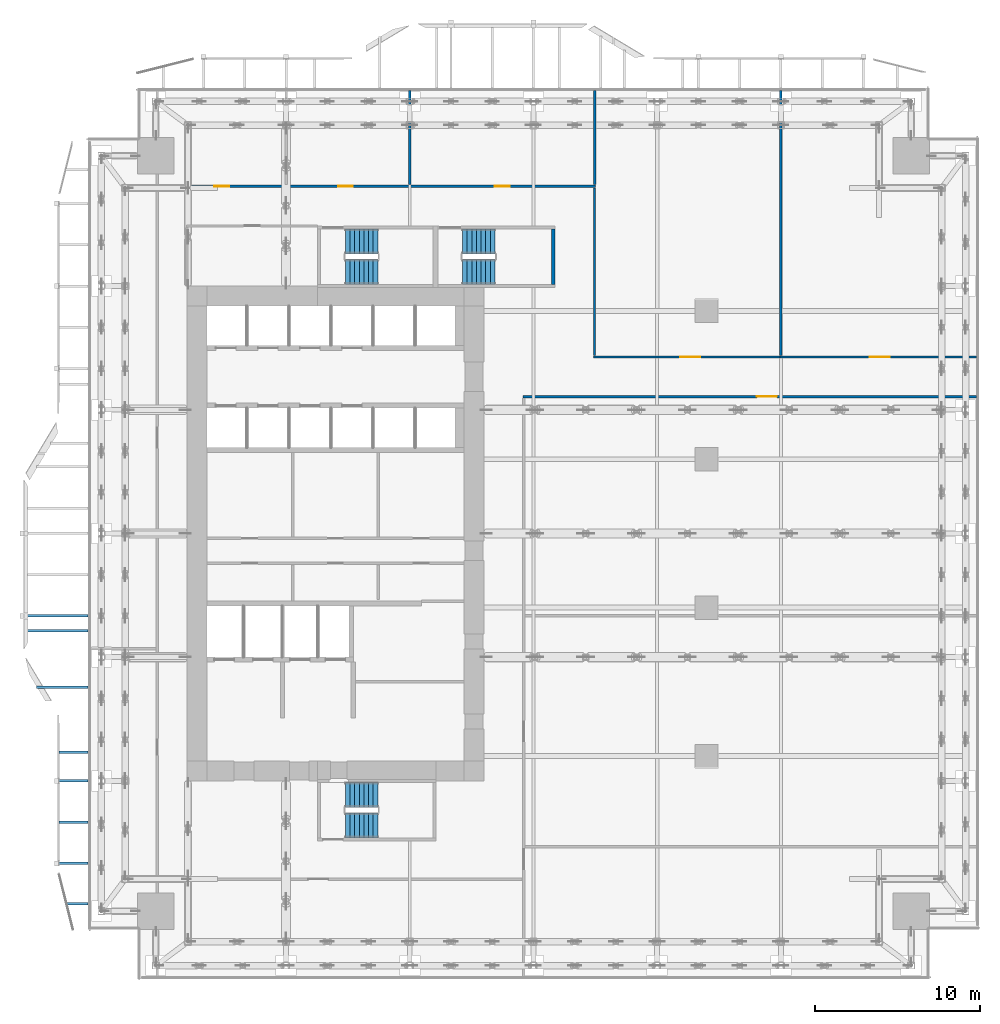
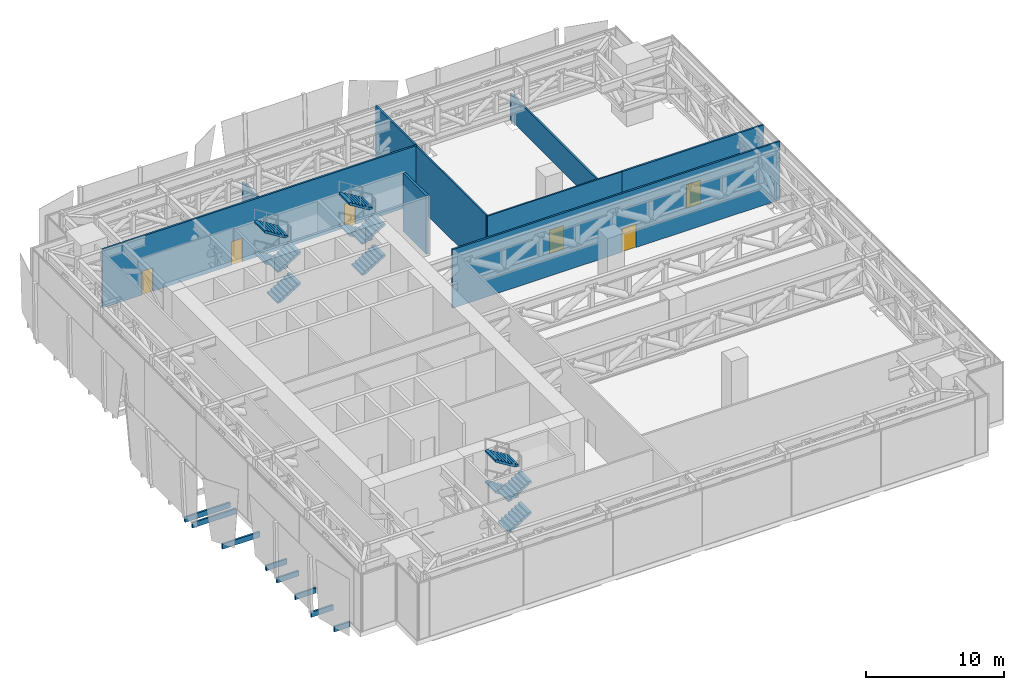
# One storey, part 32 of 39: 12 stair flights, 9 walls, 8 discrete accessories, 6 doors, 6 openings, 3 elements without a shape of their own.
"""IFC4 building model written with IfcOpenShell, lengths in metres."""

from ifc_helpers import new_model, si_unit, direction, frame, frame_2d, origin, origin_2d, place, context, subcontext, project, spatial, polyline, rectangle, outline, extrude, source, transform, mapped, material, layer, layer_set, type_object, element, fill, aggregate, save


model = new_model("IFC4")

# Units and contexts
model_context = context("Model", 3, precision=1e-05, world=origin(), true_north=direction((0.0, 1.0)))
body_context = subcontext(model_context, "Body", "Model", "MODEL_VIEW")
ifc_project = project(units=[si_unit("LENGTHUNIT", "METRE"), si_unit("AREAUNIT", "SQUARE_METRE"), si_unit("VOLUMEUNIT", "CUBIC_METRE"), si_unit("PLANEANGLEUNIT", "RADIAN"), si_unit("MASSUNIT", "GRAM", prefix="KILO")], contexts=[model_context])

# Site, building, storey
site_placement = place(None, origin())
site = spatial("IfcSite", under=ifc_project, at=site_placement, CompositionType="ELEMENT")
building_placement = place(site_placement, origin())
building = spatial("IfcBuilding", under=site, at=building_placement, Name="Khomas Fold Tower", CompositionType="ELEMENT")
storey_placement = place(building_placement, frame((0.0, 0.0, 96.0)))
storey = spatial("IfcBuildingStorey", under=building, at=storey_placement, Name="L20", CompositionType="ELEMENT", Elevation=96.0)

# Wall
ifc_material_1 = material(Name="Concrete C50/60", Category="concrete")
ifc_layer_1 = layer(ifc_material_1, 0.199951171875)
ifc_layer_set_1 = layer_set([ifc_layer_1], Name="Concrete C50/60")
wall_type_1 = type_object("IfcWallType", Name="Stair wall 200", PredefinedType="SHEAR", material=ifc_layer_set_1)
shared_shape_1 = source(origin(), body_context, "Body", "SweptSolid", [
    extrude(rectangle(XDim=3.349853515625, YDim=0.199951171875, at=frame_2d((1.6748046875, 0.0))), origin(), (0.0, 0.0, 1.0), 5.199951171875),
])
wall_1_placement = place(storey_placement, frame((28.199951171875, 42.10009765625, 0.0), z_axis=(0.0, 0.0, 1.0), x_axis=(0.0, 1.0, 0.0)))
element("IfcWall", 1, at=wall_1_placement, inside=storey, type_object=wall_type_1, Name="Stair wall SW-ST3-E", PredefinedType="SHEAR", context=body_context, shape_type="MappedRepresentation", body=[
    mapped(shared_shape_1, transform((0.0, 0.0, 0.0))),
])

# Wall, opening, door
ifc_material_2 = material(Name="Plasterboard fire partition")
ifc_layer_2 = layer(ifc_material_2, 0.14990234375)
ifc_layer_set_2 = layer_set([ifc_layer_2], Name="Plasterboard fire partition")
wall_type_2 = type_object("IfcWallType", Name="Plant room wall PW3 150", PredefinedType="PARTITIONING", material=ifc_layer_set_2)
shared_shape_2 = source(origin(), body_context, "Body", "SweptSolid", [
    extrude(rectangle(XDim=27.5, YDim=0.14990234375, at=frame_2d((13.75, 0.0))), origin(), (0.0, 0.0, 1.0), 5.199951171875),
])
wall_2_placement = place(storey_placement, frame((26.35009765625, 35.300048828125, 0.0), z_axis=(0.0, 0.0, 1.0), x_axis=(1.0, 0.0, 0.0)))
wall_2 = element("IfcWall", 2, at=wall_2_placement, inside=storey, type_object=wall_type_2, Name="Plant room wall", PredefinedType="PARTITIONING", context=body_context, shape_type="MappedRepresentation", body=[
    mapped(shared_shape_2, transform((0.0, 0.0, 0.0))),
])
shared_shape_3 = source(origin(), body_context, "Body", "SweptSolid", [
    extrude(rectangle(XDim=1.199951171875, YDim=2.10009765625, at=frame_2d((0.60009765625, 1.050048828125))), frame((0.0, 0.0849609375, 0.0), z_axis=(0.0, -1.0, 0.0), x_axis=(1.0, 0.0, 0.0)), (0.0, 0.0, 1.0), 0.169921875),
])
opening_1_placement = place(wall_2_placement, frame((14.199951171875, 0.0, 0.0)))
opening_1 = element("IfcOpeningElement", 3, at=opening_1_placement, cuts=wall_2, Name="Opening 0012", PredefinedType="OPENING", context=body_context, shape_type="MappedRepresentation", body=[
    mapped(shared_shape_3, transform((0.0, 0.0, 0.0))),
])
ifc_material_3 = material(Name="Steel door leaf", Category="steel")
door_type_1 = type_object("IfcDoorType", Name="Plant room door 1200x2100 left-hand", OperationType="SINGLE_SWING_LEFT", PredefinedType="DOOR", material=ifc_material_3)
shared_shape_4 = source(origin(), body_context, "Body", "SweptSolid", [
    extrude(rectangle(XDim=1.199951171875, YDim=2.10009765625, at=frame_2d((0.60009765625, 1.050048828125))), frame((0.0, 0.02490234375, 0.0), z_axis=(0.0, -1.0, 0.0), x_axis=(1.0, 0.0, 0.0)), (0.0, 0.0, 1.0), 0.050048828125),
])
door_1_placement = place(opening_1_placement, origin())
door_1 = element("IfcDoor", 4, at=door_1_placement, inside=storey, type_object=door_type_1, Name="Plant room door", OperationType="SINGLE_SWING_LEFT", OverallHeight=2.10009765625, OverallWidth=1.199951171875, PredefinedType="DOOR", context=body_context, shape_type="MappedRepresentation", body=[
    mapped(shared_shape_4, transform((0.0, 0.0, 0.0))),
])
fill(opening_1, door_1)

ifc_material_4 = material(Name="Plasterboard partition")
ifc_layer_3 = layer(ifc_material_4, 0.125)
ifc_layer_set_3 = layer_set([ifc_layer_3], Name="Plasterboard partition")
wall_type_3 = type_object("IfcWallType", Name="Partition PW2 125", PredefinedType="PARTITIONING", material=ifc_layer_set_3)
shared_shape_5 = source(origin(), body_context, "Body", "SweptSolid", [
    extrude(rectangle(XDim=11.300048828125, YDim=0.125, at=frame_2d((5.64990234375, 0.0))), origin(), (0.0, 0.0, 1.0), 5.199951171875),
])
wall_3_placement = place(storey_placement, frame((30.64990234375, 37.699951171875, 0.0), z_axis=(0.0, 0.0, 1.0), x_axis=(1.0, 0.0, 0.0)))
wall_3 = element("IfcWall", 5, at=wall_3_placement, inside=storey, type_object=wall_type_3, Name="Partition", PredefinedType="PARTITIONING", context=body_context, shape_type="MappedRepresentation", body=[
    mapped(shared_shape_5, transform((0.0, 0.0, 0.0))),
])
shared_shape_6 = source(origin(), body_context, "Body", "SweptSolid", [
    extrude(rectangle(XDim=1.199951171875, YDim=2.10009765625, at=frame_2d((0.60009765625, 1.050048828125))), frame((0.0, 0.072509765625, 0.0), z_axis=(0.0, -1.0, 0.0), x_axis=(1.0, 0.0, 0.0)), (0.0, 0.0, 1.0), 0.14501953125),
])
opening_2_placement = place(wall_3_placement, frame((5.25, 0.0, 0.0)))
opening_2 = element("IfcOpeningElement", 6, at=opening_2_placement, cuts=wall_3, Name="Opening 0013", PredefinedType="OPENING", context=body_context, shape_type="MappedRepresentation", body=[
    mapped(shared_shape_6, transform((0.0, 0.0, 0.0))),
])
ifc_material_5 = material(Name="Timber door leaf", Category="wood")
door_type_2 = type_object("IfcDoorType", Name="Door 1200x2100 left-hand", OperationType="SINGLE_SWING_LEFT", PredefinedType="DOOR", material=ifc_material_5)
door_2_placement = place(opening_2_placement, origin())
door_2 = element("IfcDoor", 7, at=door_2_placement, inside=storey, type_object=door_type_2, Name="Door", OperationType="SINGLE_SWING_LEFT", OverallHeight=2.10009765625, OverallWidth=1.199951171875, PredefinedType="DOOR", context=body_context, shape_type="MappedRepresentation", body=[
    mapped(shared_shape_4, transform((0.0, 0.0, 0.0))),
])
fill(opening_2, door_2)

shared_shape_7 = source(origin(), body_context, "Body", "SweptSolid", [
    extrude(rectangle(XDim=11.900146484375, YDim=0.14990234375, at=frame_2d((5.9501953125, 0.0))), origin(), (0.0, 0.0, 1.0), 5.199951171875),
])
wall_4_placement = place(storey_placement, frame((41.949951171875, 37.699951171875, 0.0), z_axis=(0.0, 0.0, 1.0), x_axis=(1.0, 0.0, 0.0)))
wall_4 = element("IfcWall", 8, at=wall_4_placement, inside=storey, type_object=wall_type_2, Name="Plant room wall", PredefinedType="PARTITIONING", context=body_context, shape_type="MappedRepresentation", body=[
    mapped(shared_shape_7, transform((0.0, 0.0, 0.0))),
])
opening_3_placement = place(wall_4_placement, frame((5.449951171875, 0.0, 0.0)))
opening_3 = element("IfcOpeningElement", 9, at=opening_3_placement, cuts=wall_4, Name="Opening 0011", PredefinedType="OPENING", context=body_context, shape_type="MappedRepresentation", body=[
    mapped(shared_shape_3, transform((0.0, 0.0, 0.0))),
])
ifc_material_6 = material(Name="Steel door leaf", Category="steel")
door_type_3 = type_object("IfcDoorType", Name="Plant room door 1200x2100 right-hand", OperationType="SINGLE_SWING_RIGHT", PredefinedType="DOOR", material=ifc_material_6)
door_3_placement = place(opening_3_placement, origin())
door_3 = element("IfcDoor", 10, at=door_3_placement, inside=storey, type_object=door_type_3, Name="Plant room door", OperationType="SINGLE_SWING_RIGHT", OverallHeight=2.10009765625, OverallWidth=1.199951171875, PredefinedType="DOOR", context=body_context, shape_type="MappedRepresentation", body=[
    mapped(shared_shape_4, transform((0.0, 0.0, 0.0))),
])
fill(opening_3, door_3)

# Walls
shared_shape_8 = source(origin(), body_context, "Body", "SweptSolid", [
    extrude(rectangle(XDim=10.14990234375, YDim=0.125, at=frame_2d((5.074951171875, 0.0))), origin(), (0.0, 0.0, 1.0), 5.199951171875),
])
wall_5_placement = place(storey_placement, frame((30.699951171875, 37.800048828125, 0.0), z_axis=(0.0, 0.0, 1.0), x_axis=(0.0, 1.0, 0.0)))
element("IfcWall", 11, at=wall_5_placement, inside=storey, type_object=wall_type_3, Name="Partition", PredefinedType="PARTITIONING", context=body_context, shape_type="MappedRepresentation", body=[
    mapped(shared_shape_8, transform((0.0, 0.0, 0.0))),
])
shared_shape_9 = source(origin(), body_context, "Body", "SweptSolid", [
    extrude(rectangle(XDim=16.050048828125, YDim=0.14990234375, at=frame_2d((8.02490234375, 0.0))), origin(), (0.0, 0.0, 1.0), 2.35009765625),
])
wall_6_placement = place(storey_placement, frame((42.0, 37.800048828125, 0.0), z_axis=(0.0, 0.0, 1.0), x_axis=(0.0, 1.0, 0.0)))
element("IfcWall", 12, at=wall_6_placement, inside=storey, type_object=wall_type_2, Name="Plant room wall", PredefinedType="PARTITIONING", context=body_context, shape_type="MappedRepresentation", body=[
    mapped(shared_shape_9, transform((0.0, 0.0, 0.0))),
])

# Wall, openings, doors
shared_shape_10 = source(origin(), body_context, "Body", "SweptSolid", [
    extrude(rectangle(XDim=26.449951171875, YDim=0.14990234375, at=frame_2d((13.22509765625, 0.0))), origin(), (0.0, 0.0, 1.0), 5.199951171875),
])
wall_7_placement = place(storey_placement, frame((4.300048828125, 48.050048828125, 0.0), z_axis=(0.0, 0.0, 1.0), x_axis=(1.0, 0.0, 0.0)))
wall_7 = element("IfcWall", 13, at=wall_7_placement, inside=storey, type_object=wall_type_2, Name="Plant room wall", PredefinedType="PARTITIONING", context=body_context, shape_type="MappedRepresentation", body=[
    mapped(shared_shape_10, transform((0.0, 0.0, 0.0))),
])
shared_shape_11 = source(origin(), body_context, "Body", "SweptSolid", [
    extrude(rectangle(XDim=0.89990234375, YDim=2.10009765625, at=frame_2d((0.449951171875, 1.050048828125))), frame((0.0, 0.0849609375, 0.0), z_axis=(0.0, -1.0, 0.0), x_axis=(1.0, 0.0, 0.0)), (0.0, 0.0, 1.0), 0.169921875),
])
opening_4_placement = place(wall_7_placement, frame((3.35009765625, 0.0, 0.0)))
opening_4 = element("IfcOpeningElement", 14, at=opening_4_placement, cuts=wall_7, Name="Opening 0003", PredefinedType="OPENING", context=body_context, shape_type="MappedRepresentation", body=[
    mapped(shared_shape_11, transform((0.0, 0.0, 0.0))),
])
opening_5_placement = place(wall_7_placement, frame((10.85009765625, 0.0, 0.0)))
opening_5 = element("IfcOpeningElement", 15, at=opening_5_placement, cuts=wall_7, Name="Opening 0003", PredefinedType="OPENING", context=body_context, shape_type="MappedRepresentation", body=[
    mapped(shared_shape_11, transform((0.0, 0.0, 0.0))),
])
opening_6_placement = place(wall_7_placement, frame((20.35009765625, 0.0, 0.0)))
opening_6 = element("IfcOpeningElement", 16, at=opening_6_placement, cuts=wall_7, Name="Opening 0002", PredefinedType="OPENING", context=body_context, shape_type="MappedRepresentation", body=[
    mapped(shared_shape_11, transform((0.0, 0.0, 0.0))),
])
ifc_material_7 = material(Name="Steel door leaf", Category="steel")
door_type_4 = type_object("IfcDoorType", Name="Plant room door 900x2100 right-hand", OperationType="SINGLE_SWING_RIGHT", PredefinedType="DOOR", material=ifc_material_7)
shared_shape_12 = source(origin(), body_context, "Body", "SweptSolid", [
    extrude(rectangle(XDim=0.89990234375, YDim=2.10009765625, at=frame_2d((0.449951171875, 1.050048828125))), frame((0.0, 0.02490234375, 0.0), z_axis=(0.0, -1.0, 0.0), x_axis=(1.0, 0.0, 0.0)), (0.0, 0.0, 1.0), 0.050048828125),
])
door_4_placement = place(opening_4_placement, origin())
door_4 = element("IfcDoor", 17, at=door_4_placement, inside=storey, type_object=door_type_4, Name="Plant room door", OperationType="SINGLE_SWING_RIGHT", OverallHeight=2.10009765625, OverallWidth=0.89990234375, PredefinedType="DOOR", context=body_context, shape_type="MappedRepresentation", body=[
    mapped(shared_shape_12, transform((0.0, 0.0, 0.0))),
])
fill(opening_4, door_4)
door_5_placement = place(opening_5_placement, origin())
door_5 = element("IfcDoor", 18, at=door_5_placement, inside=storey, type_object=door_type_4, Name="Plant room door", OperationType="SINGLE_SWING_RIGHT", OverallHeight=2.10009765625, OverallWidth=0.89990234375, PredefinedType="DOOR", context=body_context, shape_type="MappedRepresentation", body=[
    mapped(shared_shape_12, transform((0.0, 0.0, 0.0))),
])
fill(opening_5, door_5)
ifc_material_8 = material(Name="Steel door leaf", Category="steel")
door_type_5 = type_object("IfcDoorType", Name="Plant room door 900x2100 left-hand", OperationType="SINGLE_SWING_LEFT", PredefinedType="DOOR", material=ifc_material_8)
door_6_placement = place(opening_6_placement, origin())
door_6 = element("IfcDoor", 19, at=door_6_placement, inside=storey, type_object=door_type_5, Name="Plant room door", OperationType="SINGLE_SWING_LEFT", OverallHeight=2.10009765625, OverallWidth=0.89990234375, PredefinedType="DOOR", context=body_context, shape_type="MappedRepresentation", body=[
    mapped(shared_shape_12, transform((0.0, 0.0, 0.0))),
])
fill(opening_6, door_6)

# Walls
shared_shape_13 = source(origin(), body_context, "Body", "SweptSolid", [
    extrude(rectangle(XDim=5.7001953125, YDim=0.14990234375, at=frame_2d((2.85009765625, 0.0))), origin(), (0.0, 0.0, 1.0), 2.35009765625),
])
wall_8_placement = place(storey_placement, frame((19.5, 48.14990234375, 0.0), z_axis=(0.0, 0.0, 1.0), x_axis=(0.0, 1.0, 0.0)))
element("IfcWall", 20, at=wall_8_placement, inside=storey, type_object=wall_type_2, Name="Plant room wall", PredefinedType="PARTITIONING", context=body_context, shape_type="MappedRepresentation", body=[
    mapped(shared_shape_13, transform((0.0, 0.0, 0.0))),
])
shared_shape_14 = source(origin(), body_context, "Body", "SweptSolid", [
    extrude(rectangle(XDim=5.7001953125, YDim=0.14990234375, at=frame_2d((2.85009765625, 0.0))), origin(), (0.0, 0.0, 1.0), 5.199951171875),
])
wall_9_placement = place(storey_placement, frame((30.699951171875, 48.14990234375, 0.0), z_axis=(0.0, 0.0, 1.0), x_axis=(0.0, 1.0, 0.0)))
element("IfcWall", 21, at=wall_9_placement, inside=storey, type_object=wall_type_2, Name="Plant room wall", PredefinedType="PARTITIONING", context=body_context, shape_type="MappedRepresentation", body=[
    mapped(shared_shape_14, transform((0.0, 0.0, 0.0))),
])

# Stair, stair flights
ifc_material_9 = material(Name="Concrete C40/50", Category="concrete")
stair_type_1 = type_object("IfcStairType", Name="Stair ST1", PredefinedType="HALF_TURN_STAIR", material=ifc_material_9)
stair_1_placement = place(storey_placement, origin())
stair_1 = element("IfcStair", 22, at=stair_1_placement, inside=storey, type_object=stair_type_1, Name="L20 ST1", PredefinedType="HALF_TURN_STAIR")
ifc_material_10 = material(Name="Concrete C40/50", Category="concrete")
stair_flight_type_1 = type_object("IfcStairFlightType", Name="Stair flight 1500 ST1", PredefinedType="STRAIGHT", material=ifc_material_10)
shared_shape_15 = source(origin(), body_context, "Body", "SweptSolid", [
    extrude(outline(polyline([(0.0, 0.0), (0.0, 0.00146484375), (0.0, 0.0029296875), (0.0, 0.004150390625), (0.0, 0.005615234375), (0.0, 0.007080078125), (0.0, 0.008544921875), (0.0, 0.010009765625), (0.0, 0.011474609375), (0.0, 0.0126953125), (0.0, 0.01416015625), (0.0, 0.015625), (0.0, 0.01708984375), (0.0, 0.0185546875), (0.0, 0.019775390625), (0.0, 0.021240234375), (0.0, 0.022705078125), (0.0, 0.024169921875), (0.0, 0.025634765625), (0.0, 0.027099609375), (0.0, 0.0283203125), (0.0, 0.02978515625), (0.0, 0.03125), (0.0, 0.03271484375), (0.0, 0.0341796875), (0.0, 0.035400390625), (0.0, 0.036865234375), (0.0, 0.038330078125), (0.0, 0.039794921875), (0.0, 0.041259765625), (0.0, 0.042724609375), (0.0, 0.0439453125), (0.0, 0.04541015625), (0.0, 0.046875), (0.0, 0.04833984375), (0.0, 0.0498046875), (0.0, 0.051025390625), (0.0, 0.052490234375), (0.0, 0.053955078125), (0.0, 0.055419921875), (0.0, 0.056884765625), (0.0, 0.058349609375), (0.0, 0.0595703125), (0.0, 0.06103515625), (0.0, 0.0625), (0.0, 0.06396484375), (0.0, 0.0654296875), (0.0, 0.066650390625), (0.0, 0.068115234375), (0.0, 0.069580078125), (0.0, 0.071044921875), (0.0, 0.072509765625), (0.0, 0.073974609375), (0.0, 0.0751953125), (0.0, 0.07666015625), (0.0, 0.078125), (0.0, 0.07958984375), (0.0, 0.0810546875), (0.0, 0.082275390625), (0.0, 0.083740234375), (0.0, 0.085205078125), (0.0, 0.086669921875), (0.0, 0.088134765625), (0.0, 0.089599609375), (0.0, 0.0908203125), (0.0, 0.09228515625), (0.0, 0.09375), (0.0, 0.09521484375), (0.0, 0.0966796875), (0.0, 0.097900390625), (0.0, 0.099365234375), (0.0, 0.100830078125), (0.0, 0.102294921875), (0.0, 0.103759765625), (0.0, 0.105224609375), (0.0, 0.1064453125), (0.0, 0.10791015625), (0.0, 0.109375), (0.0, 0.11083984375), (0.0, 0.1123046875), (0.0, 0.113525390625), (0.0, 0.114990234375), (0.0, 0.116455078125), (0.0, 0.117919921875), (0.0, 0.119384765625), (0.0, 0.120849609375), (0.0, 0.1220703125), (0.0, 0.12353515625), (0.0, 0.125), (0.0, 0.12646484375), (0.0, 0.1279296875), (0.0, 0.129150390625), (0.0, 0.130615234375), (0.0, 0.132080078125), (0.0, 0.133544921875), (0.0, 0.135009765625), (0.0, 0.136474609375), (0.0, 0.1376953125), (0.0, 0.13916015625), (0.0, 0.140625), (0.0, 0.14208984375), (0.0, 0.1435546875), (0.0, 0.144775390625), (0.0, 0.146240234375), (0.0, 0.147705078125), (0.0, 0.149169921875), (0.0, 0.150634765625), (0.0, 0.152099609375), (0.0, 0.1533203125), (0.0, 0.15478515625), (0.0, 0.15625), (0.0, 0.15771484375), (0.0, 0.1591796875), (0.0, 0.160400390625), (0.0, 0.161865234375), (0.0, 0.163330078125), (0.0, 0.164794921875), (0.0, 0.166259765625), (0.0, 0.167724609375), (0.0, 0.1689453125), (0.0, 0.17041015625), (0.0, 0.171875), (0.280029296875, 0.171875), (0.280029296875, 0.34375), (0.56005859375, 0.34375), (0.56005859375, 0.515625), (0.840087890625, 0.515625), (0.840087890625, 0.6875), (1.1201171875, 0.6875), (1.1201171875, 0.859375), (1.39990234375, 0.859375), (1.39990234375, 1.03125), (1.679931640625, 1.03125), (1.679931640625, 1.203125), (1.9599609375, 1.203125), (1.9599609375, 1.375), (1.9599609375, 1.3720703125), (1.9599609375, 1.369140625), (1.9599609375, 1.366455078125), (1.9599609375, 1.363525390625), (1.9599609375, 1.360595703125), (1.9599609375, 1.357666015625), (1.9599609375, 1.35498046875), (1.9599609375, 1.35205078125), (1.9599609375, 1.34912109375), (1.9599609375, 1.34619140625), (1.9599609375, 1.343505859375), (1.9599609375, 1.340576171875), (1.9599609375, 1.337646484375), (1.9599609375, 1.334716796875), (1.9599609375, 1.331787109375), (1.9599609375, 1.3291015625), (1.9599609375, 1.326171875), (1.9599609375, 1.3232421875), (1.9599609375, 1.3203125), (1.9599609375, 1.317626953125), (1.9599609375, 1.314697265625), (1.9599609375, 1.311767578125), (1.9599609375, 1.308837890625), (1.9599609375, 1.305908203125), (1.9599609375, 1.30322265625), (1.9599609375, 1.30029296875), (1.9599609375, 1.29736328125), (1.9599609375, 1.29443359375), (1.9599609375, 1.291748046875), (1.9599609375, 1.288818359375), (1.9599609375, 1.285888671875), (1.9599609375, 1.282958984375), (1.9599609375, 1.2802734375), (1.9599609375, 1.27734375), (1.9599609375, 1.2744140625), (1.9599609375, 1.271484375), (1.9599609375, 1.2685546875), (1.9599609375, 1.265869140625), (1.9599609375, 1.262939453125), (1.9599609375, 1.260009765625), (1.9599609375, 1.257080078125), (1.9599609375, 1.25439453125), (1.9599609375, 1.25146484375), (1.9599609375, 1.24853515625), (1.9599609375, 1.24560546875), (1.9599609375, 1.24267578125), (1.9599609375, 1.239990234375), (1.9599609375, 1.237060546875), (1.9599609375, 1.234130859375), (1.9599609375, 1.231201171875), (1.9599609375, 1.228515625), (1.9599609375, 1.2255859375), (1.9599609375, 1.22265625), (1.9599609375, 1.2197265625), (1.9599609375, 1.217041015625), (1.9599609375, 1.214111328125), (1.9599609375, 1.211181640625), (1.9599609375, 1.208251953125), (1.9599609375, 1.205322265625), (1.9599609375, 1.20263671875), (1.9599609375, 1.19970703125), (1.9599609375, 1.19677734375), (1.9599609375, 1.19384765625), (1.9599609375, 1.191162109375), (1.9599609375, 1.188232421875), (1.9599609375, 1.185302734375), (1.9599609375, 1.182373046875), (1.9599609375, 1.179443359375), (1.9599609375, 1.1767578125), (1.9599609375, 1.173828125), (1.9599609375, 1.1708984375), (1.9599609375, 1.16796875), (1.9599609375, 1.165283203125), (1.9599609375, 1.162353515625), (1.9599609375, 1.159423828125), (1.9599609375, 1.156494140625), (1.9599609375, 1.15380859375), (1.9599609375, 1.15087890625), (1.9599609375, 1.14794921875), (1.9599609375, 1.14501953125), (1.9599609375, 1.14208984375), (1.9599609375, 1.139404296875), (1.9599609375, 1.136474609375), (1.9599609375, 1.133544921875), (1.9599609375, 1.130615234375), (1.9599609375, 1.1279296875), (1.9599609375, 1.125), (1.9599609375, 1.1220703125), (1.9599609375, 1.119140625), (1.9599609375, 1.1162109375), (1.9599609375, 1.113525390625), (1.9599609375, 1.110595703125), (1.9599609375, 1.107666015625), (1.9599609375, 1.104736328125), (1.9599609375, 1.10205078125), (1.9599609375, 1.09912109375), (1.9599609375, 1.09619140625), (1.9599609375, 1.09326171875), (1.9599609375, 1.090576171875), (1.9599609375, 1.087646484375), (1.9599609375, 1.084716796875), (1.9599609375, 1.081787109375), (1.9599609375, 1.078857421875), (1.9599609375, 1.076171875), (1.9599609375, 1.0732421875), (1.9599609375, 1.0703125), (1.9599609375, 1.0673828125), (1.9599609375, 1.064697265625), (1.9599609375, 1.061767578125), (1.9599609375, 1.058837890625), (1.9599609375, 1.055908203125), (1.9599609375, 1.05322265625), (1.9599609375, 1.05029296875), (1.9599609375, 1.04736328125), (1.9599609375, 1.04443359375), (1.9599609375, 1.04150390625), (1.9599609375, 1.038818359375), (1.9599609375, 1.035888671875), (1.9599609375, 1.032958984375), (1.9599609375, 1.030029296875), (1.9599609375, 1.02734375), (0.28662109375, 0.0), (0.0, 0.0)])), frame((0.0, 0.75, 0.0), z_axis=(0.0, -1.0, 0.0), x_axis=(1.0, 0.0, 0.0)), (0.0, 0.0, 1.0), 1.5),
])
stair_flight_1_placement = place(storey_placement, frame((15.60009765625, 42.85009765625, 0.0), z_axis=(0.0, 0.0, 1.0), x_axis=(1.0, 0.0, 0.0)))
stair_flight_1 = element("IfcStairFlight", 23, at=stair_flight_1_placement, type_object=stair_flight_type_1, Name="ST1 flight 1", NumberOfRisers=8, NumberOfTreads=7, PredefinedType="STRAIGHT", RiserHeight=0.171875, TreadLength=0.28, context=body_context, shape_type="MappedRepresentation", body=[
    mapped(shared_shape_15, transform((0.0, 0.0, 0.0))),
])
stair_flight_2_placement = place(storey_placement, frame((17.56005859375, 44.699951171875, 1.375), z_axis=(0.0, 0.0, 1.0), x_axis=(-1.0, 0.0, 0.0)))
stair_flight_2 = element("IfcStairFlight", 24, at=stair_flight_2_placement, type_object=stair_flight_type_1, Name="ST1 flight 2", NumberOfRisers=8, NumberOfTreads=7, PredefinedType="STRAIGHT", RiserHeight=0.171875, TreadLength=0.28, context=body_context, shape_type="MappedRepresentation", body=[
    mapped(shared_shape_15, transform((0.0, 0.0, 0.0))),
])
stair_flight_3_placement = place(storey_placement, frame((15.60009765625, 42.85009765625, 2.75), z_axis=(0.0, 0.0, 1.0), x_axis=(1.0, 0.0, 0.0)))
stair_flight_3 = element("IfcStairFlight", 25, at=stair_flight_3_placement, type_object=stair_flight_type_1, Name="ST1 flight 3", NumberOfRisers=8, NumberOfTreads=7, PredefinedType="STRAIGHT", RiserHeight=0.171875, TreadLength=0.28, context=body_context, shape_type="MappedRepresentation", body=[
    mapped(shared_shape_15, transform((0.0, 0.0, 0.0))),
])
stair_flight_4_placement = place(storey_placement, frame((17.56005859375, 44.699951171875, 4.125), z_axis=(0.0, 0.0, 1.0), x_axis=(-1.0, 0.0, 0.0)))
stair_flight_4 = element("IfcStairFlight", 26, at=stair_flight_4_placement, type_object=stair_flight_type_1, Name="ST1 flight 4", NumberOfRisers=8, NumberOfTreads=7, PredefinedType="STRAIGHT", RiserHeight=0.171875, TreadLength=0.28, context=body_context, shape_type="MappedRepresentation", body=[
    mapped(shared_shape_15, transform((0.0, 0.0, 0.0))),
])
aggregate(stair_1, [stair_flight_1, stair_flight_2, stair_flight_3, stair_flight_4])

ifc_material_11 = material(Name="Concrete C40/50", Category="concrete")
stair_type_2 = type_object("IfcStairType", Name="Stair ST2", PredefinedType="HALF_TURN_STAIR", material=ifc_material_11)
stair_2_placement = place(storey_placement, origin())
stair_2 = element("IfcStair", 27, at=stair_2_placement, inside=storey, type_object=stair_type_2, Name="L20 ST2", PredefinedType="HALF_TURN_STAIR")
ifc_material_12 = material(Name="Concrete C40/50", Category="concrete")
stair_flight_type_2 = type_object("IfcStairFlightType", Name="Stair flight 1500 ST2", PredefinedType="STRAIGHT", material=ifc_material_12)
stair_flight_5_placement = place(storey_placement, frame((15.60009765625, 9.300048828125, 0.0), z_axis=(0.0, 0.0, 1.0), x_axis=(1.0, 0.0, 0.0)))
stair_flight_5 = element("IfcStairFlight", 28, at=stair_flight_5_placement, type_object=stair_flight_type_2, Name="ST2 flight 1", NumberOfRisers=8, NumberOfTreads=7, PredefinedType="STRAIGHT", RiserHeight=0.171875, TreadLength=0.28, context=body_context, shape_type="MappedRepresentation", body=[
    mapped(shared_shape_15, transform((0.0, 0.0, 0.0))),
])
stair_flight_6_placement = place(storey_placement, frame((17.56005859375, 11.14990234375, 1.375), z_axis=(0.0, 0.0, 1.0), x_axis=(-1.0, 0.0, 0.0)))
stair_flight_6 = element("IfcStairFlight", 29, at=stair_flight_6_placement, type_object=stair_flight_type_2, Name="ST2 flight 2", NumberOfRisers=8, NumberOfTreads=7, PredefinedType="STRAIGHT", RiserHeight=0.171875, TreadLength=0.28, context=body_context, shape_type="MappedRepresentation", body=[
    mapped(shared_shape_15, transform((0.0, 0.0, 0.0))),
])
stair_flight_7_placement = place(storey_placement, frame((15.60009765625, 9.300048828125, 2.75), z_axis=(0.0, 0.0, 1.0), x_axis=(1.0, 0.0, 0.0)))
stair_flight_7 = element("IfcStairFlight", 30, at=stair_flight_7_placement, type_object=stair_flight_type_2, Name="ST2 flight 3", NumberOfRisers=8, NumberOfTreads=7, PredefinedType="STRAIGHT", RiserHeight=0.171875, TreadLength=0.28, context=body_context, shape_type="MappedRepresentation", body=[
    mapped(shared_shape_15, transform((0.0, 0.0, 0.0))),
])
stair_flight_8_placement = place(storey_placement, frame((17.56005859375, 11.14990234375, 4.125), z_axis=(0.0, 0.0, 1.0), x_axis=(-1.0, 0.0, 0.0)))
stair_flight_8 = element("IfcStairFlight", 31, at=stair_flight_8_placement, type_object=stair_flight_type_2, Name="ST2 flight 4", NumberOfRisers=8, NumberOfTreads=7, PredefinedType="STRAIGHT", RiserHeight=0.171875, TreadLength=0.28, context=body_context, shape_type="MappedRepresentation", body=[
    mapped(shared_shape_15, transform((0.0, 0.0, 0.0))),
])
aggregate(stair_2, [stair_flight_5, stair_flight_6, stair_flight_7, stair_flight_8])

ifc_material_13 = material(Name="Concrete C40/50", Category="concrete")
stair_type_3 = type_object("IfcStairType", Name="Stair ST3", PredefinedType="HALF_TURN_STAIR", material=ifc_material_13)
stair_3_placement = place(storey_placement, origin())
stair_3 = element("IfcStair", 32, at=stair_3_placement, inside=storey, type_object=stair_type_3, Name="L20 ST3", PredefinedType="HALF_TURN_STAIR")
ifc_material_14 = material(Name="Concrete C40/50", Category="concrete")
stair_flight_type_3 = type_object("IfcStairFlightType", Name="Stair flight 1500 ST3", PredefinedType="STRAIGHT", material=ifc_material_14)
stair_flight_9_placement = place(storey_placement, frame((22.699951171875, 42.85009765625, 0.0), z_axis=(0.0, 0.0, 1.0), x_axis=(1.0, 0.0, 0.0)))
stair_flight_9 = element("IfcStairFlight", 33, at=stair_flight_9_placement, type_object=stair_flight_type_3, Name="ST3 flight 1", NumberOfRisers=8, NumberOfTreads=7, PredefinedType="STRAIGHT", RiserHeight=0.171875, TreadLength=0.28, context=body_context, shape_type="MappedRepresentation", body=[
    mapped(shared_shape_15, transform((0.0, 0.0, 0.0))),
])
stair_flight_10_placement = place(storey_placement, frame((24.659912109375, 44.699951171875, 1.375), z_axis=(0.0, 0.0, 1.0), x_axis=(-1.0, 0.0, 0.0)))
stair_flight_10 = element("IfcStairFlight", 34, at=stair_flight_10_placement, type_object=stair_flight_type_3, Name="ST3 flight 2", NumberOfRisers=8, NumberOfTreads=7, PredefinedType="STRAIGHT", RiserHeight=0.171875, TreadLength=0.28, context=body_context, shape_type="MappedRepresentation", body=[
    mapped(shared_shape_15, transform((0.0, 0.0, 0.0))),
])
stair_flight_11_placement = place(storey_placement, frame((22.699951171875, 42.85009765625, 2.75), z_axis=(0.0, 0.0, 1.0), x_axis=(1.0, 0.0, 0.0)))
stair_flight_11 = element("IfcStairFlight", 35, at=stair_flight_11_placement, type_object=stair_flight_type_3, Name="ST3 flight 3", NumberOfRisers=8, NumberOfTreads=7, PredefinedType="STRAIGHT", RiserHeight=0.171875, TreadLength=0.28, context=body_context, shape_type="MappedRepresentation", body=[
    mapped(shared_shape_15, transform((0.0, 0.0, 0.0))),
])
stair_flight_12_placement = place(storey_placement, frame((24.659912109375, 44.699951171875, 4.125), z_axis=(0.0, 0.0, 1.0), x_axis=(-1.0, 0.0, 0.0)))
stair_flight_12 = element("IfcStairFlight", 36, at=stair_flight_12_placement, type_object=stair_flight_type_3, Name="ST3 flight 4", NumberOfRisers=8, NumberOfTreads=7, PredefinedType="STRAIGHT", RiserHeight=0.171875, TreadLength=0.28, context=body_context, shape_type="MappedRepresentation", body=[
    mapped(shared_shape_15, transform((0.0, 0.0, 0.0))),
])
aggregate(stair_3, [stair_flight_9, stair_flight_10, stair_flight_11, stair_flight_12])

# Discrete accessories
ifc_material_15 = material(Name="Stainless steel", Category="steel")
discrete_accessory_type = type_object("IfcDiscreteAccessoryType", Name="SK-Stainless steel stone bracket", PredefinedType="BRACKET", material=ifc_material_15)
shared_shape_16 = source(origin(), body_context, "Body", "SweptSolid", [
    extrude(rectangle(XDim=1.3330078125, YDim=0.14990234375, at=origin_2d()), origin(), (0.0, 0.0, 1.0), 0.4599609375),
])
discrete_accessory_1_placement = place(storey_placement, frame((-0.66650390625, 4.55712890625, -0.39990234375), z_axis=(0.0, 0.0, 1.0), x_axis=(-1.0, 0.0, 0.0)))
element("IfcDiscreteAccessory", 37, at=discrete_accessory_1_placement, inside=storey, type_object=discrete_accessory_type, Name="Stone bracket L20 WG098-1-1", PredefinedType="BRACKET", context=body_context, shape_type="MappedRepresentation", body=[
    mapped(shared_shape_16, transform((0.0, 0.0, 0.0))),
])
shared_shape_17 = source(origin(), body_context, "Body", "SweptSolid", [
    extrude(rectangle(XDim=1.84814453125, YDim=0.14990234375, at=origin_2d()), origin(), (0.0, 0.0, 1.0), 0.4599609375),
])
for number, where, z_axis, x_axis, name in (
    (38, (-0.924072265625, 7.0, -0.39990234375), (0.0, 0.0, 1.0), (-1.0, 0.0, 0.0), "Stone bracket L20 WM099-2-1"),
    (39, (-0.924072265625, 12.0, -0.39990234375), (0.0, 0.0, 1.0), (-1.0, 0.0, 0.0), "Stone bracket L20 WM100-4-1"),
):
    element("IfcDiscreteAccessory", number, at=place(storey_placement, frame(where, z_axis=z_axis, x_axis=x_axis)), inside=storey, type_object=discrete_accessory_type, Name=name, PredefinedType="BRACKET", context=body_context, shape_type="MappedRepresentation", body=[
        mapped(shared_shape_17, transform((0.0, 0.0, 0.0))),
    ])
shared_shape_18 = source(origin(), body_context, "Body", "SweptSolid", [
    extrude(rectangle(XDim=1.753173828125, YDim=0.14990234375, at=origin_2d()), origin(), (0.0, 0.0, 1.0), 0.4599609375),
])
for number, where, z_axis, x_axis, name in (
    (40, (-0.87646484375, 9.5, -0.39990234375), (0.0, 0.0, 1.0), (-1.0, 0.0, 0.0), "Stone bracket L20 WG099-3-1"),
    (41, (-0.87646484375, 13.729736328125, -0.39990234375), (0.0, 0.0, 1.0), (-1.0, 0.0, 0.0), "Stone bracket L20 WG100-5-1"),
):
    element("IfcDiscreteAccessory", number, at=place(storey_placement, frame(where, z_axis=z_axis, x_axis=x_axis)), inside=storey, type_object=discrete_accessory_type, Name=name, PredefinedType="BRACKET", context=body_context, shape_type="MappedRepresentation", body=[
        mapped(shared_shape_18, transform((0.0, 0.0, 0.0))),
    ])
shared_shape_19 = source(origin(), body_context, "Body", "SweptSolid", [
    extrude(rectangle(XDim=3.12060546875, YDim=0.14990234375, at=origin_2d()), origin(), (0.0, 0.0, 1.0), 0.4599609375),
])
discrete_accessory_2_placement = place(storey_placement, frame((-1.560302734375, 17.690185546875, -0.39990234375), z_axis=(0.0, 0.0, 1.0), x_axis=(-1.0, 0.0, 0.0)))
element("IfcDiscreteAccessory", 42, at=discrete_accessory_2_placement, inside=storey, type_object=discrete_accessory_type, Name="Stone bracket L20 WG101-6-1", PredefinedType="BRACKET", context=body_context, shape_type="MappedRepresentation", body=[
    mapped(shared_shape_19, transform((0.0, 0.0, 0.0))),
])
shared_shape_20 = source(origin(), body_context, "Body", "SweptSolid", [
    extrude(rectangle(XDim=3.685546875, YDim=0.14990234375, at=origin_2d()), origin(), (0.0, 0.0, 1.0), 0.4599609375),
])
discrete_accessory_3_placement = place(storey_placement, frame((-1.8427734375, 21.1064453125, -0.39990234375), z_axis=(0.0, 0.0, 1.0), x_axis=(-1.0, 0.0, 0.0)))
element("IfcDiscreteAccessory", 43, at=discrete_accessory_3_placement, inside=storey, type_object=discrete_accessory_type, Name="Stone bracket L20 WG101-7-1", PredefinedType="BRACKET", context=body_context, shape_type="MappedRepresentation", body=[
    mapped(shared_shape_20, transform((0.0, 0.0, 0.0))),
])
shared_shape_21 = source(origin(), body_context, "Body", "SweptSolid", [
    extrude(rectangle(XDim=3.780517578125, YDim=0.14990234375, at=origin_2d()), origin(), (0.0, 0.0, 1.0), 0.4599609375),
])
discrete_accessory_4_placement = place(storey_placement, frame((-1.89013671875, 22.0, -0.39990234375), z_axis=(0.0, 0.0, 1.0), x_axis=(-1.0, 0.0, 0.0)))
element("IfcDiscreteAccessory", 44, at=discrete_accessory_4_placement, inside=storey, type_object=discrete_accessory_type, Name="Stone bracket L20 WM102-8-1", PredefinedType="BRACKET", context=body_context, shape_type="MappedRepresentation", body=[
    mapped(shared_shape_21, transform((0.0, 0.0, 0.0))),
])

save(model, "model.ifc")
